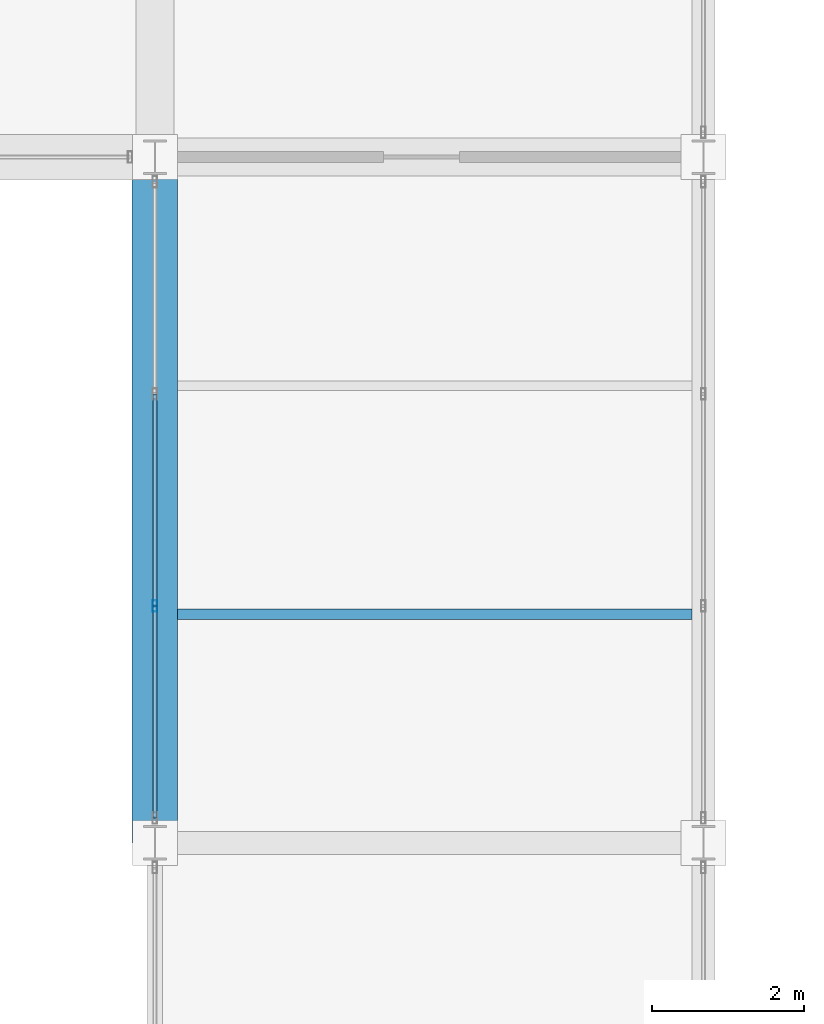
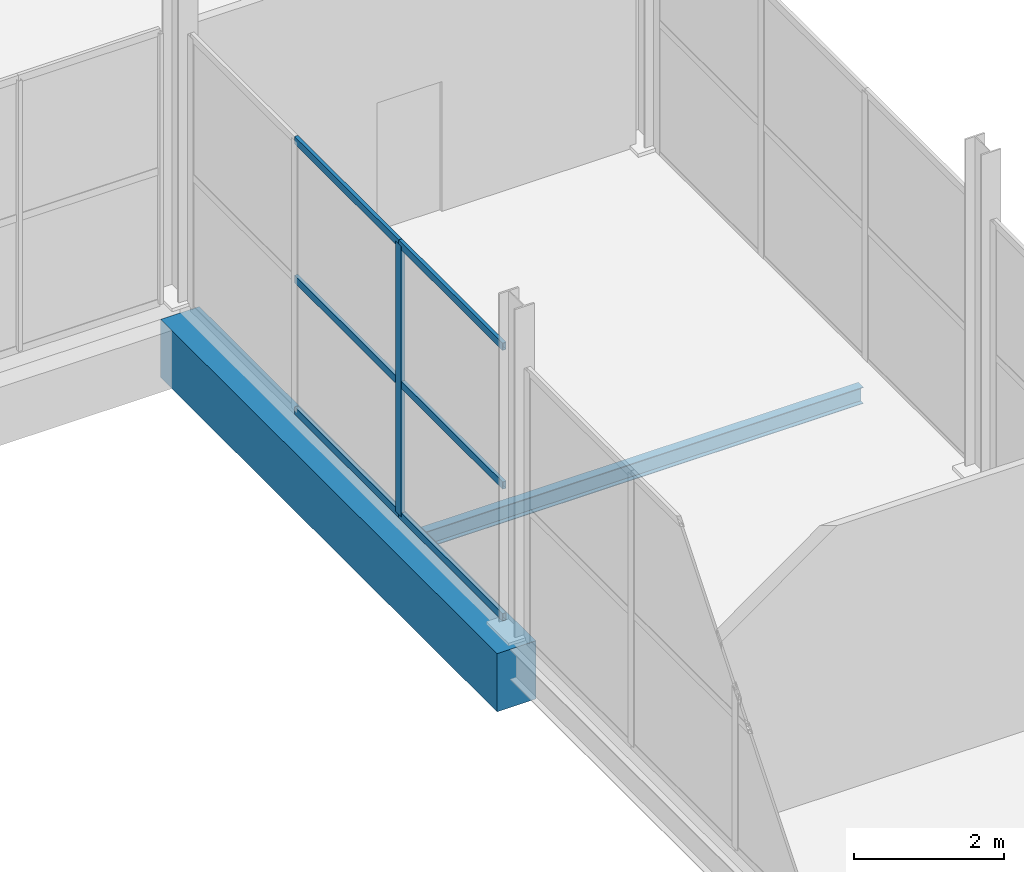
# One storey, part 92 of 147: 7 members, 2 beams, 1 element without a shape of its own.
"""IFC4 building model written with IfcOpenShell, lengths in metres."""

from ifc_helpers import new_model, si_unit, direction, frame, origin, origin_2d, place, context, subcontext, project, spatial, rectangle, hollow_rectangle, i_section, extrude, material, layer, layer_set, material_profile, profile_set, type_object, element, aggregate, save


model = new_model("IFC4")

# Units and contexts
model_context = context("Model", 3, precision=1e-05, world=origin(), true_north=direction((0.0, 1.0)))
body_context = subcontext(model_context, "Body", "Model", "MODEL_VIEW")
ifc_project = project(units=[si_unit("LENGTHUNIT", "METRE"), si_unit("AREAUNIT", "SQUARE_METRE"), si_unit("VOLUMEUNIT", "CUBIC_METRE"), si_unit("PLANEANGLEUNIT", "RADIAN"), si_unit("MASSUNIT", "GRAM", prefix="KILO")], contexts=[model_context])

# Site, building, storey
site_placement = place(None, origin())
site = spatial("IfcSite", under=ifc_project, at=site_placement, CompositionType="ELEMENT")
building_placement = place(site_placement, origin())
building = spatial("IfcBuilding", under=site, at=building_placement, Name="Sundgate Opera House", CompositionType="ELEMENT")
storey_placement = place(building_placement, frame((0.0, 0.0, 6.0)))
storey = spatial("IfcBuildingStorey", under=building, at=storey_placement, Name="L01", CompositionType="ELEMENT", Elevation=6.0)

# Beams
ifc_material_1 = material(Name="Steel S355J2", Category="steel")
ifc_material_profile_1 = material_profile(ifc_material_1, i_section(OverallWidth=0.135009765625, OverallDepth=0.27001953125, WebThickness=0.006591796875, FlangeThickness=0.01025390625, at=origin_2d()), Name="IPE 270")
ifc_profile_set_1 = profile_set([ifc_material_profile_1], Name="Steel S355J2")
beam_type_1 = type_object("IfcBeamType", Name="BM-JS-IPE270", PredefinedType="JOIST", material=ifc_profile_set_1)
beam_1_placement = place(storey_placement, frame((138.89990234375, 54.0, -0.43505859375), z_axis=(1.0, 0.0, 0.0), x_axis=(0.0, 1.0, 0.0)))
element("IfcBeam", 1, at=beam_1_placement, inside=storey, type_object=beam_type_1, Name="L01 Secondary Floor Joist B1580", PredefinedType="JOIST", context=body_context, shape_type="SweptSolid", body=[
    extrude(i_section(OverallWidth=0.135009765625, OverallDepth=0.27001953125, WebThickness=0.006591796875, FlangeThickness=0.01025390625, at=origin_2d()), origin(), (0.0, 0.0, 1.0), 6.75),
])
ifc_material_2 = material(Name="Concrete C40/50", Category="concrete")
ifc_material_profile_2 = material_profile(ifc_material_2, rectangle(XDim=0.60009765625, YDim=0.949951171875, at=origin_2d()), Name="RC 600x950")
ifc_profile_set_2 = profile_set([ifc_material_profile_2], Name="Concrete C40/50")
beam_type_2 = type_object("IfcBeamType", Name="BM-RC-600x950", PredefinedType="BEAM", material=ifc_profile_set_2)
beam_2_placement = place(storey_placement, frame((138.60009765625, 51.0, -0.77490234375), z_axis=(0.0, 1.0, 0.0), x_axis=(-1.0, 0.0, 0.0)))
element("IfcBeam", 2, at=beam_2_placement, inside=storey, type_object=beam_type_2, Name="L01 Primary N-S Girder B1221", PredefinedType="BEAM", context=body_context, shape_type="SweptSolid", body=[
    extrude(rectangle(XDim=0.60009765625, YDim=0.949951171875, at=origin_2d()), origin(), (0.0, 0.0, 1.0), 9.0),
])

# Curtain wall, members
ifc_material_3 = material(Name="Anodized aluminium and low-iron glass", Category="aluminium")
ifc_layer = layer(ifc_material_3, 0.159912109375)
ifc_layer_set = layer_set([ifc_layer], Name="Anodized aluminium and low-iron glass")
curtain_wall_type = type_object("IfcCurtainWallType", Name="CW-STUDIO-DARK", PredefinedType="NOTDEFINED", material=ifc_layer_set)
curtain_wall_placement = place(storey_placement, origin())
curtain_wall = element("IfcCurtainWall", 3, at=curtain_wall_placement, inside=storey, type_object=curtain_wall_type, Name="L01 Curtain Wall CW061", PredefinedType="NOTDEFINED")
ifc_material_4 = material(Name="Anodized aluminium EN AW-6063", Category="aluminium")
ifc_material_profile_3 = material_profile(ifc_material_4, hollow_rectangle(XDim=0.06005859375, YDim=0.14990234375, WallThickness=0.00390625, at=origin_2d()), Name="CWM 150x60x4")
ifc_profile_set_3 = profile_set([ifc_material_profile_3], Name="Anodized aluminium EN AW-6063")
member_type_1 = type_object("IfcMemberType", Name="CWM-ALU-150x60", PredefinedType="MULLION", material=ifc_profile_set_3)
member_1_placement = place(storey_placement, frame((138.60009765625, 54.1083984375, 0.0), z_axis=(0.0, 0.0, 1.0), x_axis=(1.0, 0.0, 0.0)))
member_1 = element("IfcMember", 4, at=member_1_placement, type_object=member_type_1, Name="CW061 Mullion 3", PredefinedType="MULLION", context=body_context, shape_type="SweptSolid", body=[
    extrude(hollow_rectangle(XDim=0.06005859375, YDim=0.14990234375, WallThickness=0.00390625, at=origin_2d()), origin(), (0.0, 0.0, 1.0), 4.4150390625),
])
ifc_material_5 = material(Name="Anodized aluminium EN AW-6063", Category="aluminium")
ifc_material_profile_4 = material_profile(ifc_material_5, hollow_rectangle(XDim=0.054931640625, YDim=0.1201171875, WallThickness=0.00390625, at=origin_2d()), Name="CWT 120x55x4")
ifc_profile_set_4 = profile_set([ifc_material_profile_4], Name="Anodized aluminium EN AW-6063")
member_type_2 = type_object("IfcMemberType", Name="CWT-ALU-120x55", PredefinedType="USERDEFINED", material=ifc_profile_set_4)
member_2_placement = place(storey_placement, frame((138.60009765625, 56.8916015625, 0.0), z_axis=(0.0, -1.0, 0.0), x_axis=(1.0, 0.0, 0.0)))
member_2 = element("IfcMember", 5, at=member_2_placement, type_object=member_type_2, Name="CW061 Transom 4", ObjectType="TRANSOM", PredefinedType="USERDEFINED", context=body_context, shape_type="SweptSolid", body=[
    extrude(hollow_rectangle(XDim=0.054931640625, YDim=0.1201171875, WallThickness=0.00390625, at=origin_2d()), origin(), (0.0, 0.0, 1.0), 2.783203125),
])
member_3_placement = place(storey_placement, frame((138.60009765625, 56.8916015625, 2.14990234375), z_axis=(0.0, -1.0, 0.0), x_axis=(1.0, 0.0, 0.0)))
member_3 = element("IfcMember", 6, at=member_3_placement, type_object=member_type_2, Name="CW061 Transom 5", ObjectType="TRANSOM", PredefinedType="USERDEFINED", context=body_context, shape_type="SweptSolid", body=[
    extrude(hollow_rectangle(XDim=0.054931640625, YDim=0.1201171875, WallThickness=0.00390625, at=origin_2d()), origin(), (0.0, 0.0, 1.0), 2.783203125),
])
member_4_placement = place(storey_placement, frame((138.60009765625, 56.8916015625, 4.4150390625), z_axis=(0.0, -1.0, 0.0), x_axis=(1.0, 0.0, 0.0)))
member_4 = element("IfcMember", 7, at=member_4_placement, type_object=member_type_2, Name="CW061 Transom 6", ObjectType="TRANSOM", PredefinedType="USERDEFINED", context=body_context, shape_type="SweptSolid", body=[
    extrude(hollow_rectangle(XDim=0.054931640625, YDim=0.1201171875, WallThickness=0.00390625, at=origin_2d()), origin(), (0.0, 0.0, 1.0), 2.783203125),
])
member_5_placement = place(storey_placement, frame((138.60009765625, 54.1083984375, 0.0), z_axis=(0.0, -1.0, 0.0), x_axis=(1.0, 0.0, 0.0)))
member_5 = element("IfcMember", 8, at=member_5_placement, type_object=member_type_2, Name="CW061 Transom 7", ObjectType="TRANSOM", PredefinedType="USERDEFINED", context=body_context, shape_type="SweptSolid", body=[
    extrude(hollow_rectangle(XDim=0.054931640625, YDim=0.1201171875, WallThickness=0.00390625, at=origin_2d()), origin(), (0.0, 0.0, 1.0), 2.783447265625),
])
member_6_placement = place(storey_placement, frame((138.60009765625, 54.1083984375, 2.14990234375), z_axis=(0.0, -1.0, 0.0), x_axis=(1.0, 0.0, 0.0)))
member_6 = element("IfcMember", 9, at=member_6_placement, type_object=member_type_2, Name="CW061 Transom 8", ObjectType="TRANSOM", PredefinedType="USERDEFINED", context=body_context, shape_type="SweptSolid", body=[
    extrude(hollow_rectangle(XDim=0.054931640625, YDim=0.1201171875, WallThickness=0.00390625, at=origin_2d()), origin(), (0.0, 0.0, 1.0), 2.783447265625),
])
member_7_placement = place(storey_placement, frame((138.60009765625, 54.1083984375, 4.4150390625), z_axis=(0.0, -1.0, 0.0), x_axis=(1.0, 0.0, 0.0)))
member_7 = element("IfcMember", 10, at=member_7_placement, type_object=member_type_2, Name="CW061 Transom 9", ObjectType="TRANSOM", PredefinedType="USERDEFINED", context=body_context, shape_type="SweptSolid", body=[
    extrude(hollow_rectangle(XDim=0.054931640625, YDim=0.1201171875, WallThickness=0.00390625, at=origin_2d()), origin(), (0.0, 0.0, 1.0), 2.783447265625),
])
aggregate(curtain_wall, [member_1, member_2, member_3, member_4, member_5, member_6, member_7])

save(model, "model.ifc")
